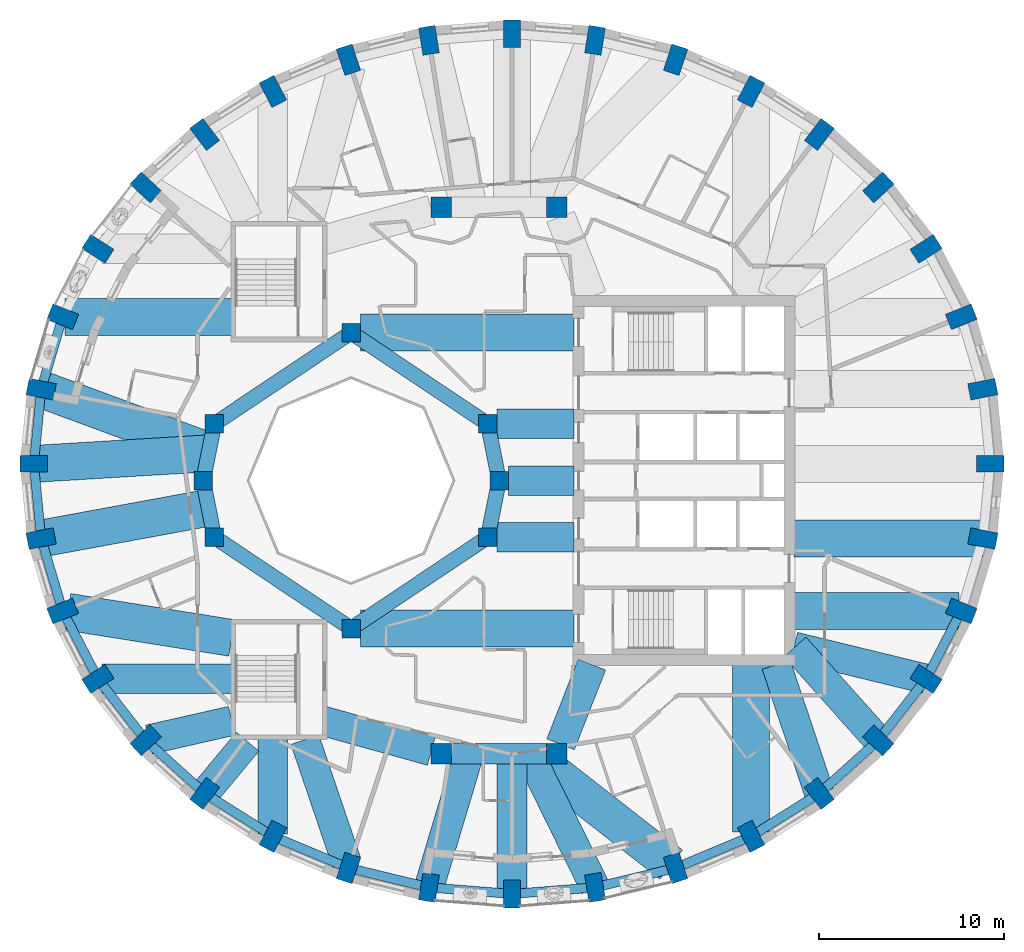
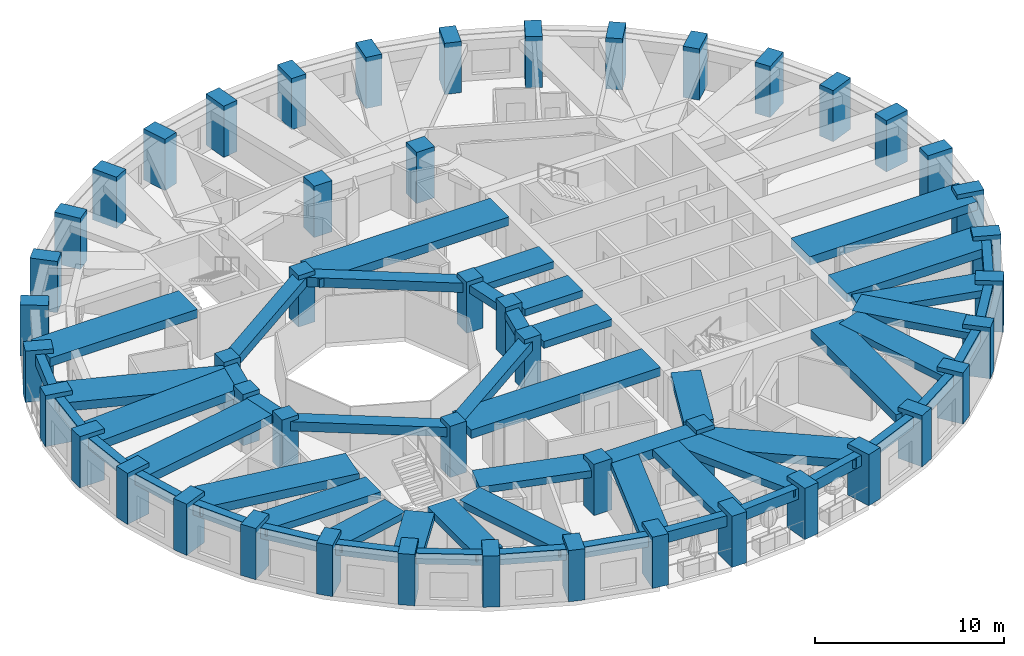
# One storey, part 1 of 12: 54 beams, 48 columns.
"""IFC4 building model written with IfcOpenShell, lengths in metres."""

import ifcopenshell
import ifcopenshell.guid

model = None  # the IFC model being written
_history = None  # IfcOwnerHistory: only IFC2X3 demands one
_inside = {}  # id of a spatial element -> (the spatial element, [elements in it])
_under = {}  # id of a project, library or spatial element -> (it, [spatial elements below it])
_declared = {}  # id of a project -> (the project, [libraries it declares])
_typed = {}  # id of a type object -> (the type object, [elements of that type])
_made_of = {}  # id of a material, layer set ... -> (it, [elements and type objects made of it])


def new_model(schema):
    """Start an empty IFC model of exactly this schema.

    Asked for "IFC4X3", IfcOpenShell would pick the latest addendum, in which some entities
    have other attributes; the version numbers below select the first issue.
    IFC2X3 requires an IfcOwnerHistory on every rooted entity: one is made here for all.
    """
    global model, _history
    if schema == "IFC4X3":
        model = ifcopenshell.file(schema_version=(4, 3, 0, 0))
    else:
        model = ifcopenshell.file(schema=schema)
    _inside.clear()
    _under.clear()
    _declared.clear()
    _typed.clear()
    _made_of.clear()
    _history = None
    if model.schema == "IFC2X3":
        org = make("IfcOrganization", Name="unknown")
        user = make(
            "IfcPersonAndOrganization",
            ThePerson=make("IfcPerson", FamilyName="unknown"),
            TheOrganization=org,
        )
        app = make(
            "IfcApplication",
            ApplicationDeveloper=org,
            Version="unknown",
            ApplicationFullName="unknown",
            ApplicationIdentifier="unknown",
        )
        _history = make(
            "IfcOwnerHistory",
            OwningUser=user,
            OwningApplication=app,
            ChangeAction="ADDED",
            CreationDate=0,
        )
    return model


def make(cls, **values):
    """One entity of the class cls with the attributes given. An attribute that is None is left unset."""
    return model.create_entity(
        cls, **{name: value for name, value in values.items() if value is not None}
    )


def rooted(cls, **values):
    """An entity with a GlobalId (a new one), such as an element, a storey or a relation."""
    return make(cls, GlobalId=ifcopenshell.guid.new(), OwnerHistory=_history, **values)


def si_unit(unit_type, name, prefix=None):
    """IfcSIUnit, for example si_unit("LENGTHUNIT", "METRE", prefix="MILLI")."""
    return make("IfcSIUnit", UnitType=unit_type, Prefix=prefix, Name=name)


def assignment(units):
    """IfcUnitAssignment: the units of a project."""
    return None if units is None else make("IfcUnitAssignment", Units=units)


def point(xyz):
    """IfcCartesianPoint."""
    return None if xyz is None else make("IfcCartesianPoint", Coordinates=xyz)


def direction(xyz):
    """IfcDirection."""
    return None if xyz is None else make("IfcDirection", DirectionRatios=xyz)


def frame(location, z_axis=None, x_axis=None):
    """IfcAxis2Placement3D, a coordinate frame: its origin and axes. An axis left out is left unset."""
    return make(
        "IfcAxis2Placement3D",
        Location=point(location),
        Axis=direction(z_axis),
        RefDirection=direction(x_axis),
    )


def frame_2d(location, x_axis=None):
    """IfcAxis2Placement2D, a coordinate frame in the plane: its origin and x axis."""
    return make(
        "IfcAxis2Placement2D", Location=point(location), RefDirection=direction(x_axis)
    )


def origin():
    """The frame at (0, 0, 0) with its axes left unset."""
    return frame((0.0, 0.0, 0.0))


def origin_2d():
    """The frame at (0, 0) in the plane with its x axis left unset."""
    return frame_2d((0.0, 0.0))


def place(relative_to, where):
    """IfcLocalPlacement: puts the frame where relative to a parent placement (None: the world)."""
    return make(
        "IfcLocalPlacement", PlacementRelTo=relative_to, RelativePlacement=where
    )


def context(
    kind, dimensions, precision=None, world=None, true_north=None, identifier=None
):
    """IfcGeometricRepresentationContext, for example the 3D "Model" context."""
    return make(
        "IfcGeometricRepresentationContext",
        ContextIdentifier=identifier,
        ContextType=kind,
        CoordinateSpaceDimension=dimensions,
        Precision=precision,
        WorldCoordinateSystem=world,
        TrueNorth=true_north,
    )


def subcontext(parent, identifier, kind, view, scale=None):
    """IfcGeometricRepresentationSubContext, for example "Body" below "Model"."""
    return make(
        "IfcGeometricRepresentationSubContext",
        ContextIdentifier=identifier,
        ContextType=kind,
        ParentContext=parent,
        TargetScale=scale,
        TargetView=view,
    )


def project(units=None, contexts=None):
    """IfcProject with its units and contexts."""
    return rooted(
        "IfcProject",
        Name="project",
        RepresentationContexts=contexts,
        UnitsInContext=assignment(units),
    )


def spatial(cls, under=None, at=None, **own):
    """A site, building, storey or space (cls), placed at a placement, below another one or the project."""
    s = rooted(cls, ObjectPlacement=at, **own)
    if under is not None:
        _under.setdefault(under.id(), (under, []))[1].append(s)
    return s


def profile(cls, at=None, kind="AREA", **sizes):
    """A parametric profile (cls). Its sizes go by their IFC names, for example OverallWidth=200.0."""
    return make(cls, ProfileType=kind, Position=at, **sizes)


def rectangle(**sizes):
    """IfcRectangleProfileDef."""
    return profile("IfcRectangleProfileDef", **sizes)


def extrude(swept, where, along, depth):
    """IfcExtrudedAreaSolid: the profile swept, set in the frame where, extruded along a direction by depth."""
    return make(
        "IfcExtrudedAreaSolid",
        SweptArea=swept,
        Position=where,
        ExtrudedDirection=direction(along),
        Depth=depth,
    )


def shape(context_of_items, identifier, shape_type, items):
    """IfcShapeRepresentation: the items that make up one representation, for example the "Body"."""
    return make(
        "IfcShapeRepresentation",
        ContextOfItems=context_of_items,
        RepresentationIdentifier=identifier,
        RepresentationType=shape_type,
        Items=items,
    )


def material(Name=None, Category=None):
    """IfcMaterial."""
    return make("IfcMaterial", Name=Name, Category=Category)


def material_profile(
    of_material, cross_section, Name=None, Category=None, Priority=None
):
    """IfcMaterialProfile: a cross section and its material."""
    return make(
        "IfcMaterialProfile",
        Name=Name,
        Material=of_material,
        Profile=cross_section,
        Priority=Priority,
        Category=Category,
    )


def profile_set(profiles, Name=None, composite=None):
    """IfcMaterialProfileSet."""
    return make(
        "IfcMaterialProfileSet",
        Name=Name,
        MaterialProfiles=profiles,
        CompositeProfile=composite,
    )


def made_of(thing, what):
    """Note that an element or type object is made of a material, layer set ...; save() writes the relation."""
    if what is not None:
        _made_of.setdefault(what.id(), (what, []))[1].append(thing)
    return thing


def type_object(cls, material=None, **own):
    """A type object (cls), such as IfcWallType, which elements share."""
    return made_of(rooted(cls, **own), material)


def element(
    cls,
    number,
    at=None,
    inside=None,
    cuts=None,
    type_object=None,
    material=None,
    context=None,
    identifier="Body",
    shape_type=None,
    held_by="IfcProductDefinitionShape",
    body=None,
    shapes=None,
    **own,
):
    """One element of the class cls, such as IfcWall. Its Tag is "e" and its number.

    at: its placement. inside: the storey or other place that contains it. cuts: it is an
    opening in that element (IfcRelVoidsElement). A single representation is given by context,
    identifier, shape_type and body (its items); several are given by shapes. held_by: the class
    of the entity that holds the representations. save() writes the other relations.
    """
    e = rooted(cls, Tag="e%d" % number, ObjectPlacement=at, **own)
    if body is not None:
        shapes = [shape(context, identifier, shape_type, body)]
    if shapes is not None:
        e.Representation = make(held_by, Representations=shapes)
    if inside is not None:
        _inside.setdefault(inside.id(), (inside, []))[1].append(e)
    if cuts is not None:
        rooted(
            "IfcRelVoidsElement", RelatingBuildingElement=cuts, RelatedOpeningElement=e
        )
    if type_object is not None:
        _typed.setdefault(type_object.id(), (type_object, []))[1].append(e)
    return made_of(e, material)


def aggregate(whole, parts):
    """IfcRelAggregates: a whole, such as a stair, and the parts it consists of."""
    return rooted("IfcRelAggregates", RelatingObject=whole, RelatedObjects=parts)


def save(model, path):
    """Write the relations noted so far, then the file.

    IfcRelAggregates (storeys below a building ...), IfcRelContainedInSpatialStructure (elements
    in a storey), IfcRelDefinesByType, IfcRelAssociatesMaterial and IfcRelDeclares: one each for
    every whole, place, type object, material and project.
    """
    for whole, parts in _under.values():
        aggregate(whole, parts)
    for where, things in _inside.values():
        rooted(
            "IfcRelContainedInSpatialStructure",
            RelatedElements=things,
            RelatingStructure=where,
        )
    for kind, things in _typed.values():
        rooted("IfcRelDefinesByType", RelatedObjects=things, RelatingType=kind)
    for what, things in _made_of.values():
        rooted("IfcRelAssociatesMaterial", RelatedObjects=things, RelatingMaterial=what)
    for by, libraries in _declared.values():
        rooted("IfcRelDeclares", RelatingContext=by, RelatedDefinitions=libraries)
    model.write(path)


model = new_model("IFC4")

# Units and contexts
model_context = context("Model", 3, precision=1e-05, world=origin(), true_north=direction((0.0, 1.0)))
body_context = subcontext(model_context, "Body", "Model", "MODEL_VIEW")
ifc_project = project(units=[si_unit("LENGTHUNIT", "METRE"), si_unit("AREAUNIT", "SQUARE_METRE"), si_unit("VOLUMEUNIT", "CUBIC_METRE"), si_unit("PLANEANGLEUNIT", "RADIAN"), si_unit("MASSUNIT", "GRAM", prefix="KILO")], contexts=[model_context])

# Site, building, storey
site_placement = place(None, origin())
site = spatial("IfcSite", under=ifc_project, at=site_placement, CompositionType="ELEMENT")
building_placement = place(site_placement, origin())
building = spatial("IfcBuilding", under=site, at=building_placement, Name="Taillehof Tower", CompositionType="ELEMENT")
storey_placement = place(building_placement, frame((0.0, 0.0, 199.10009765625)))
storey = spatial("IfcBuildingStorey", under=building, at=storey_placement, Name="L56", CompositionType="ELEMENT", Elevation=199.10009765625)

# Columns
ifc_material_1 = material(Name="Concrete C50/60", Category="concrete")
ifc_material_profile_1 = material_profile(ifc_material_1, rectangle(XDim=1.0, YDim=1.0, at=origin_2d()), Name="RC 1000x1000")
ifc_profile_set_1 = profile_set([ifc_material_profile_1], Name="Concrete C50/60")
column_type_1 = type_object("IfcColumnType", Name="Atrium ring column C50/60 1000x1000", PredefinedType="COLUMN", material=ifc_profile_set_1)
for number, where, z_axis, x_axis, name in (
    (1, (0.0, 0.0, 0.0), (0.0, 0.0, 1.0), (1.0, 0.0, 0.0), "Column AC01"),
    (2, (-0.60888671875, 3.0615234375, 0.0), (0.0, 0.0, 1.0), (1.0, 0.0, 0.0), "Column AC02"),
    (3, (-8.0, 8.0, 0.0), (0.0, 0.0, 1.0), (1.0, 0.0, 0.0), "Column AC05"),
    (4, (-15.39111328125, 3.0615234375, 0.0), (0.0, 0.0, 1.0), (1.0, 0.0, 0.0), "Column AC08"),
    (5, (-16.0, 0.0, 0.0), (0.0, 0.0, 1.0), (1.0, 0.0, 0.0), "Column AC09"),
    (6, (-15.39111328125, -3.0615234375, 0.0), (0.0, 0.0, 1.0), (1.0, 0.0, 0.0), "Column AC10"),
    (7, (-8.0, -8.0, 0.0), (0.0, 0.0, 1.0), (1.0, 0.0, 0.0), "Column AC13"),
    (8, (-0.60888671875, -3.0615234375, 0.0), (0.0, 0.0, 1.0), (1.0, 0.0, 0.0), "Column AC16"),
):
    element("IfcColumn", number, at=place(storey_placement, frame(where, z_axis=z_axis, x_axis=x_axis)), inside=storey, type_object=column_type_1, Name=name, PredefinedType="COLUMN", context=body_context, shape_type="SweptSolid", body=[
        extrude(rectangle(XDim=1.0, YDim=1.0, at=origin_2d()), origin(), (0.0, 0.0, 1.0), 3.2998046875),
    ])
ifc_material_2 = material(Name="Concrete C50/60", Category="concrete")
ifc_material_profile_2 = material_profile(ifc_material_2, rectangle(XDim=1.10009765625, YDim=1.10009765625, at=origin_2d()), Name="RC 1100x1100")
ifc_profile_set_2 = profile_set([ifc_material_profile_2], Name="Concrete C50/60")
column_type_2 = type_object("IfcColumnType", Name="Mid-ring column C50/60 1100x1100", PredefinedType="COLUMN", material=ifc_profile_set_2)
for number, where, z_axis, x_axis, name in (
    (9, (3.125732421875, 14.772216796875, 0.0), (0.0, 0.0, 1.0), (1.0, 0.0, 0.0), "Column MC05"),
    (10, (-3.125732421875, 14.772216796875, 0.0), (0.0, 0.0, 1.0), (1.0, 0.0, 0.0), "Column MC06"),
    (11, (-3.125732421875, -14.772216796875, 0.0), (0.0, 0.0, 1.0), (1.0, 0.0, 0.0), "Column MC14"),
    (12, (3.125732421875, -14.772216796875, 0.0), (0.0, 0.0, 1.0), (1.0, 0.0, 0.0), "Column MC15"),
):
    element("IfcColumn", number, at=place(storey_placement, frame(where, z_axis=z_axis, x_axis=x_axis)), inside=storey, type_object=column_type_2, Name=name, PredefinedType="COLUMN", context=body_context, shape_type="SweptSolid", body=[
        extrude(rectangle(XDim=1.10009765625, YDim=1.10009765625, at=origin_2d()), origin(), (0.0, 0.0, 1.0), 3.2998046875),
    ])
ifc_material_3 = material(Name="Concrete C60/75", Category="concrete")
ifc_material_profile_3 = material_profile(ifc_material_3, rectangle(XDim=1.5, YDim=0.89990234375, at=origin_2d()), Name="RC 1500x900")
ifc_profile_set_3 = profile_set([ifc_material_profile_3], Name="Concrete C60/75")
column_type_3 = type_object("IfcColumnType", Name="Ring column C60/75 1500x900", PredefinedType="COLUMN", material=ifc_profile_set_3)
for number, where, z_axis, x_axis, name in (
    (13, (26.550048828125, 0.89990234375, 0.0), (0.0, 0.0, 1.0), (1.0, 0.0, 0.0), "Ring column RC01"),
    (14, (26.1572265625, 4.937255859375, 0.0), (0.0, 0.0, 1.0), (0.981433894538, 0.191800705555, 0.0), "Ring column RC02"),
    (15, (24.990966796875, 8.85205078125, 0.0), (0.0, 0.0, 1.0), (0.927385290523, 0.374107635477, 0.0), "Ring column RC03"),
    (16, (23.086669921875, 12.52490234375, 0.0), (0.0, 0.0, 1.0), (0.84231094199, 0.538991908107, 0.0), "Ring column RC04"),
    (17, (20.502197265625, 15.8447265625, 0.0), (0.0, 0.0, 1.0), (0.732270888356, 0.681013469813, 0.0), "Ring column RC05"),
    (18, (17.316162109375, 18.71044921875, 0.0), (0.0, 0.0, 1.0), (0.60360770772, 0.797281465469, 0.0), "Ring column RC06"),
    (19, (13.625, 21.03515625, 0.0), (0.0, 0.0, 1.0), (0.461993199576, 0.886883466722, 0.0), "Ring column RC07"),
    (20, (9.541259765625, 22.747802734375, 0.0), (0.0, 0.0, 1.0), (0.312001306843, 0.950081672557, 0.0), "Ring column RC08"),
    (21, (5.188720703125, 23.796875, 0.0), (0.0, 0.0, 1.0), (0.157116034607, 0.987580149491, 0.0), "Ring column RC09"),
    (22, (0.699951171875, 24.14990234375, 0.0), (0.0, 0.0, 1.0), (0.0, 1.0, 0.0), "Ring column RC10"),
    (23, (-3.788818359375, 23.796875, 0.0), (0.0, 0.0, 1.0), (-0.157116034607, 0.987580149491, 0.0), "Ring column RC11"),
    (24, (-8.14111328125, 22.747802734375, 0.0), (0.0, 0.0, 1.0), (-0.312001306843, 0.950081672557, 0.0), "Ring column RC12"),
    (25, (-12.22509765625, 21.03515625, 0.0), (0.0, 0.0, 1.0), (-0.461993199576, 0.886883466722, 0.0), "Ring column RC13"),
    (26, (-15.916015625, 18.71044921875, 0.0), (0.0, 0.0, 1.0), (-0.60360770772, 0.797281465469, 0.0), "Ring column RC14"),
    (27, (-19.102294921875, 15.8447265625, 0.0), (0.0, 0.0, 1.0), (-0.732270888356, 0.681013469813, 0.0), "Ring column RC15"),
    (28, (-21.686767578125, 12.52490234375, 0.0), (0.0, 0.0, 1.0), (-0.84231094199, 0.538991908107, 0.0), "Ring column RC16"),
    (29, (-23.591064453125, 8.85205078125, 0.0), (0.0, 0.0, 1.0), (-0.927385290523, 0.374107635477, 0.0), "Ring column RC17"),
    (30, (-24.75732421875, 4.937255859375, 0.0), (0.0, 0.0, 1.0), (-0.981433894538, 0.191800705555, 0.0), "Ring column RC18"),
    (31, (-25.14990234375, 0.89990234375, 0.0), (0.0, 0.0, 1.0), (-1.0, 0.0, 0.0), "Ring column RC19"),
    (32, (-24.75732421875, -3.13720703125, 0.0), (0.0, 0.0, 1.0), (-0.981433894538, -0.191800705555, 0.0), "Ring column RC20"),
    (33, (-23.591064453125, -7.052001953125, 0.0), (0.0, 0.0, 1.0), (-0.927385290523, -0.374107635477, 0.0), "Ring column RC21"),
    (34, (-21.686767578125, -10.72509765625, 0.0), (0.0, 0.0, 1.0), (-0.84231094199, -0.538991908107, 0.0), "Ring column RC22"),
    (35, (-19.102294921875, -14.044921875, 0.0), (0.0, 0.0, 1.0), (-0.732270888356, -0.681013469813, 0.0), "Ring column RC23"),
    (36, (-15.916015625, -16.91064453125, 0.0), (0.0, 0.0, 1.0), (-0.60360770772, -0.797281465469, 0.0), "Ring column RC24"),
    (37, (-12.22509765625, -19.235107421875, 0.0), (0.0, 0.0, 1.0), (-0.461993199576, -0.886883466722, 0.0), "Ring column RC25"),
    (38, (-8.14111328125, -20.94775390625, 0.0), (0.0, 0.0, 1.0), (-0.312001306843, -0.950081672557, 0.0), "Ring column RC26"),
    (39, (-3.788818359375, -21.996826171875, 0.0), (0.0, 0.0, 1.0), (-0.157116034607, -0.987580149491, 0.0), "Ring column RC27"),
    (40, (0.699951171875, -22.35009765625, 0.0), (0.0, 0.0, 1.0), (0.0, -1.0, 0.0), "Ring column RC28"),
    (41, (5.188720703125, -21.996826171875, 0.0), (0.0, 0.0, 1.0), (0.157116034607, -0.987580149491, 0.0), "Ring column RC29"),
    (42, (9.541259765625, -20.94775390625, 0.0), (0.0, 0.0, 1.0), (0.312001306843, -0.950081672557, 0.0), "Ring column RC30"),
    (43, (13.625, -19.235107421875, 0.0), (0.0, 0.0, 1.0), (0.461993199576, -0.886883466722, 0.0), "Ring column RC31"),
    (44, (17.316162109375, -16.91064453125, 0.0), (0.0, 0.0, 1.0), (0.60360770772, -0.797281465469, 0.0), "Ring column RC32"),
    (45, (20.502197265625, -14.044921875, 0.0), (0.0, 0.0, 1.0), (0.732270888356, -0.681013469813, 0.0), "Ring column RC33"),
    (46, (23.086669921875, -10.72509765625, 0.0), (0.0, 0.0, 1.0), (0.84231094199, -0.538991908107, 0.0), "Ring column RC34"),
    (47, (24.990966796875, -7.052001953125, 0.0), (0.0, 0.0, 1.0), (0.927385290523, -0.374107635477, 0.0), "Ring column RC35"),
    (48, (26.1572265625, -3.13720703125, 0.0), (0.0, 0.0, 1.0), (0.981433894538, -0.191800705555, 0.0), "Ring column RC36"),
):
    element("IfcColumn", number, at=place(storey_placement, frame(where, z_axis=z_axis, x_axis=x_axis)), inside=storey, type_object=column_type_3, Name=name, PredefinedType="COLUMN", context=body_context, shape_type="SweptSolid", body=[
        extrude(rectangle(XDim=1.5, YDim=0.89990234375, at=origin_2d()), origin(), (0.0, 0.0, 1.0), 3.2998046875),
    ])

# Beams
ifc_material_4 = material(Name="Concrete C50/60", Category="concrete")
ifc_material_profile_4 = material_profile(ifc_material_4, rectangle(XDim=0.800048828125, YDim=0.5, at=origin_2d()), Name="RC 800x500")
ifc_profile_set_4 = profile_set([ifc_material_profile_4], Name="Concrete C50/60")
beam_type_1 = type_object("IfcBeamType", Name="Atrium ring beam C50/60 800x500", PredefinedType="BEAM", material=ifc_profile_set_4)
for number, where, z_axis, x_axis, name in (
    (49, (0.0, 0.0, 2.77001953125), (-0.195063155143, 0.980790683839, 0.0), (-0.980790683839, -0.195063155143, 0.0), "Atrium ring beam AB01"),
    (50, (-15.39111328125, 3.0615234375, 2.77001953125), (-0.195063155143, -0.980790683839, 0.0), (0.980790683839, -0.195063155143, 0.0), "Atrium ring beam AB04"),
    (51, (-16.0, 0.0, 2.77001953125), (0.195063155143, -0.980790683839, 0.0), (0.980790683839, 0.195063155143, 0.0), "Atrium ring beam AB05"),
    (52, (-0.60888671875, -3.0615234375, 2.77001953125), (0.195063155143, 0.980790683839, 0.0), (-0.980790683839, 0.195063155143, 0.0), "Atrium ring beam AB08"),
):
    element("IfcBeam", number, at=place(storey_placement, frame(where, z_axis=z_axis, x_axis=x_axis)), inside=storey, type_object=beam_type_1, Name=name, PredefinedType="BEAM", context=body_context, shape_type="SweptSolid", body=[
        extrude(rectangle(XDim=0.800048828125, YDim=0.5, at=origin_2d()), origin(), (0.0, 0.0, 1.0), 3.12158203125),
    ])
ifc_material_5 = material(Name="Concrete C50/60", Category="concrete")
ifc_material_profile_5 = material_profile(ifc_material_5, rectangle(XDim=0.800048828125, YDim=0.60009765625, at=origin_2d()), Name="RC 800x600")
ifc_profile_set_5 = profile_set([ifc_material_profile_5], Name="Concrete C50/60")
beam_type_2 = type_object("IfcBeamType", Name="Atrium ring beam C50/60 800x600", PredefinedType="BEAM", material=ifc_profile_set_5)
for number, where, z_axis, x_axis, name in (
    (53, (-0.60888671875, 3.0615234375, 2.719970703125), (-0.831475195687, 0.555561876804, 0.0), (-0.555561876804, -0.831475195687, 0.0), "Atrium ring beam AB02"),
    (54, (-8.0, 8.0, 2.719970703125), (-0.831475195687, -0.555561876804, 0.0), (0.555561876804, -0.831475195687, 0.0), "Atrium ring beam AB03"),
    (55, (-15.39111328125, -3.0615234375, 2.719970703125), (0.831475195687, -0.555561876804, 0.0), (0.555561876804, 0.831475195687, 0.0), "Atrium ring beam AB06"),
    (56, (-8.0, -8.0, 2.719970703125), (0.831475195687, 0.555561876804, 0.0), (-0.555561876804, 0.831475195687, 0.0), "Atrium ring beam AB07"),
):
    element("IfcBeam", number, at=place(storey_placement, frame(where, z_axis=z_axis, x_axis=x_axis)), inside=storey, type_object=beam_type_2, Name=name, PredefinedType="BEAM", context=body_context, shape_type="SweptSolid", body=[
        extrude(rectangle(XDim=0.800048828125, YDim=0.60009765625, at=origin_2d()), origin(), (0.0, 0.0, 1.0), 8.88916015625),
    ])
ifc_material_6 = material(Name="Concrete C50/60", Category="concrete")
ifc_material_profile_6 = material_profile(ifc_material_6, rectangle(XDim=1.10009765625, YDim=0.60009765625, at=origin_2d()), Name="RC 1100x600")
ifc_profile_set_6 = profile_set([ifc_material_profile_6], Name="Concrete C50/60")
beam_type_3 = type_object("IfcBeamType", Name="Mid-ring beam C50/60 1100x600", PredefinedType="BEAM", material=ifc_profile_set_6)
beam_1_placement = place(storey_placement, frame((-3.125732421875, -14.772216796875, 2.719970703125), z_axis=(1.0, 0.0, 0.0), x_axis=(0.0, 1.0, 0.0)))
element("IfcBeam", 57, at=beam_1_placement, inside=storey, type_object=beam_type_3, Name="Mid-ring beam MB02", PredefinedType="BEAM", context=body_context, shape_type="SweptSolid", body=[
    extrude(rectangle(XDim=1.10009765625, YDim=0.60009765625, at=origin_2d()), origin(), (0.0, 0.0, 1.0), 6.25146484375),
])
ifc_material_7 = material(Name="Concrete C50/60", Category="concrete")
ifc_material_profile_7 = material_profile(ifc_material_7, rectangle(XDim=1.60009765625, YDim=0.449951171875, at=origin_2d()), Name="RC 1600x450")
ifc_profile_set_7 = profile_set([ifc_material_profile_7], Name="Concrete C50/60")
beam_type_4 = type_object("IfcBeamType", Name="Radial band beam C50/60 1600x450", PredefinedType="BEAM", material=ifc_profile_set_7)
beam_2_placement = place(storey_placement, frame((-21.47021484375, -10.72509765625, 2.794921875), z_axis=(1.0, 0.0, 0.0), x_axis=(0.0, 1.0, 0.0)))
element("IfcBeam", 58, at=beam_2_placement, inside=storey, type_object=beam_type_4, Name="Radial band beam RB22", PredefinedType="BEAM", context=body_context, shape_type="SweptSolid", body=[
    extrude(rectangle(XDim=1.60009765625, YDim=0.449951171875, at=origin_2d()), origin(), (0.0, 0.0, 1.0), 7.020263671875),
])
beam_3_placement = place(storey_placement, frame((-18.929931640625, -14.005615234375, 2.794921875), z_axis=(0.975193914537, 0.221352273651, 0.0), x_axis=(-0.221352273651, 0.975193914537, 0.0)))
element("IfcBeam", 59, at=beam_3_placement, inside=storey, type_object=beam_type_4, Name="Radial band beam RB23", PredefinedType="BEAM", context=body_context, shape_type="SweptSolid", body=[
    extrude(rectangle(XDim=1.60009765625, YDim=0.449951171875, at=origin_2d()), origin(), (0.0, 0.0, 1.0), 4.5927734375),
])
beam_4_placement = place(storey_placement, frame((-15.916015625, -16.91064453125, 2.794921875), z_axis=(0.638722345868, 0.769437304066, 0.0), x_axis=(-0.769437304066, 0.638722345868, 0.0)))
element("IfcBeam", 60, at=beam_4_placement, inside=storey, type_object=beam_type_4, Name="Radial band beam RB24", PredefinedType="BEAM", context=body_context, shape_type="SweptSolid", body=[
    extrude(rectangle(XDim=1.60009765625, YDim=0.449951171875, at=origin_2d()), origin(), (0.0, 0.0, 1.0), 3.6328125),
])
beam_5_placement = place(storey_placement, frame((-12.22509765625, -19.101318359375, 2.794921875), z_axis=(0.0, 1.0, 0.0), x_axis=(-1.0, 0.0, 0.0)))
element("IfcBeam", 61, at=beam_5_placement, inside=storey, type_object=beam_type_4, Name="Radial band beam RB25", PredefinedType="BEAM", context=body_context, shape_type="SweptSolid", body=[
    extrude(rectangle(XDim=1.60009765625, YDim=0.449951171875, at=origin_2d()), origin(), (0.0, 0.0, 1.0), 5.1513671875),
])
beam_6_placement = place(storey_placement, frame((-8.233642578125, -20.675537109375, 2.794921875), z_axis=(-0.321475101084, 0.94691803203, 0.0), x_axis=(-0.94691803203, -0.321475101084, 0.0)))
element("IfcBeam", 62, at=beam_6_placement, inside=storey, type_object=beam_type_4, Name="Radial band beam RB26", PredefinedType="BEAM", context=body_context, shape_type="SweptSolid", body=[
    extrude(rectangle(XDim=1.60009765625, YDim=0.449951171875, at=origin_2d()), origin(), (0.0, 0.0, 1.0), 7.042236328125),
])
beam_7_placement = place(storey_placement, frame((-3.788818359375, -21.996826171875, 2.794921875), z_axis=(0.286825122153, 0.957982958774, 0.0), x_axis=(-0.957982958774, 0.286825122153, 0.0)))
element("IfcBeam", 63, at=beam_7_placement, inside=storey, type_object=beam_type_4, Name="Radial band beam RB27", PredefinedType="BEAM", context=body_context, shape_type="SweptSolid", body=[
    extrude(rectangle(XDim=1.60009765625, YDim=0.449951171875, at=origin_2d()), origin(), (0.0, 0.0, 1.0), 7.54150390625),
])
beam_8_placement = place(storey_placement, frame((0.699951171875, -22.35009765625, 2.794921875), z_axis=(0.0, 1.0, 0.0), x_axis=(-1.0, 0.0, 0.0)))
element("IfcBeam", 64, at=beam_8_placement, inside=storey, type_object=beam_type_4, Name="Radial band beam RB28", PredefinedType="BEAM", context=body_context, shape_type="SweptSolid", body=[
    extrude(rectangle(XDim=1.60009765625, YDim=0.449951171875, at=origin_2d()), origin(), (0.0, 0.0, 1.0), 7.577880859375),
])
beam_9_placement = place(storey_placement, frame((5.188720703125, -21.996826171875, 2.794921875), z_axis=(-0.442309181818, 0.896862635903, 0.0), x_axis=(-0.896862635903, -0.442309181818, 0.0)))
element("IfcBeam", 65, at=beam_9_placement, inside=storey, type_object=beam_type_4, Name="Radial band beam RB29", PredefinedType="BEAM", context=body_context, shape_type="SweptSolid", body=[
    extrude(rectangle(XDim=1.60009765625, YDim=0.449951171875, at=origin_2d()), origin(), (0.0, 0.0, 1.0), 8.055419921875),
])
beam_10_placement = place(storey_placement, frame((17.314697265625, -16.906494140625, 2.794921875), z_axis=(-0.317775276173, 0.948166058164, 0.0), x_axis=(-0.948166058164, -0.317775276173, 0.0)))
element("IfcBeam", 66, at=beam_10_placement, inside=storey, type_object=beam_type_4, Name="Radial band beam RB32", PredefinedType="BEAM", context=body_context, shape_type="SweptSolid", body=[
    extrude(rectangle(XDim=1.60009765625, YDim=0.449951171875, at=origin_2d()), origin(), (0.0, 0.0, 1.0), 7.333984375),
])
beam_11_placement = place(storey_placement, frame((20.502197265625, -14.044921875, 2.794921875), z_axis=(-0.665845101725, 0.746090008316, 0.0), x_axis=(-0.746090008316, -0.665845101725, 0.0)))
element("IfcBeam", 67, at=beam_11_placement, inside=storey, type_object=beam_type_4, Name="Radial band beam RB33", PredefinedType="BEAM", context=body_context, shape_type="SweptSolid", body=[
    extrude(rectangle(XDim=1.60009765625, YDim=0.449951171875, at=origin_2d()), origin(), (0.0, 0.0, 1.0), 6.766357421875),
])
beam_12_placement = place(storey_placement, frame((23.07568359375, -10.722412109375, 2.794921875), z_axis=(-0.971629977108, 0.236506210459, 0.0), x_axis=(-0.236506210459, -0.971629977108, 0.0)))
element("IfcBeam", 68, at=beam_12_placement, inside=storey, type_object=beam_type_4, Name="Radial band beam RB34", PredefinedType="BEAM", context=body_context, shape_type="SweptSolid", body=[
    extrude(rectangle(XDim=1.60009765625, YDim=0.449951171875, at=origin_2d()), origin(), (0.0, 0.0, 1.0), 7.332275390625),
])
beam_13_placement = place(storey_placement, frame((0.5, 0.0, 2.794921875), z_axis=(1.0, 0.0, 0.0), x_axis=(0.0, 1.0, 0.0)))
element("IfcBeam", 69, at=beam_13_placement, inside=storey, type_object=beam_type_4, Name="Inner band beam IB101", PredefinedType="BEAM", context=body_context, shape_type="SweptSolid", body=[
    extrude(rectangle(XDim=1.60009765625, YDim=0.449951171875, at=origin_2d()), origin(), (0.0, 0.0, 1.0), 3.550048828125),
])
for number, where, z_axis, x_axis, name in (
    (70, (-0.10888671875, 3.0615234375, 2.794921875), (1.0, 0.0, 0.0), (0.0, 1.0, 0.0), "Inner band beam IB102"),
    (71, (-0.10888671875, -3.0615234375, 2.794921875), (1.0, 0.0, 0.0), (0.0, 1.0, 0.0), "Inner band beam IB116"),
):
    element("IfcBeam", number, at=place(storey_placement, frame(where, z_axis=z_axis, x_axis=x_axis)), inside=storey, type_object=beam_type_4, Name=name, PredefinedType="BEAM", context=body_context, shape_type="SweptSolid", body=[
        extrude(rectangle(XDim=1.60009765625, YDim=0.449951171875, at=origin_2d()), origin(), (0.0, 0.0, 1.0), 4.158935546875),
    ])
beam_14_placement = place(storey_placement, frame((-3.655517578125, -14.624755859375, 2.794921875), z_axis=(-0.963459369536, 0.267854518821, 0.0), x_axis=(-0.267854518821, -0.963459369536, 0.0)))
element("IfcBeam", 72, at=beam_14_placement, inside=storey, type_object=beam_type_4, Name="Inner band beam IB214", PredefinedType="BEAM", context=body_context, shape_type="SweptSolid", body=[
    extrude(rectangle(XDim=1.60009765625, YDim=0.449951171875, at=origin_2d()), origin(), (0.0, 0.0, 1.0), 6.096923828125),
])
beam_15_placement = place(storey_placement, frame((3.32666015625, -14.26025390625, 2.794921875), z_axis=(0.365588707223, 0.930776502255, 0.0), x_axis=(-0.930776502255, 0.365588707223, 0.0)))
element("IfcBeam", 73, at=beam_15_placement, inside=storey, type_object=beam_type_4, Name="Inner band beam IB215", PredefinedType="BEAM", context=body_context, shape_type="SweptSolid", body=[
    extrude(rectangle(XDim=1.60009765625, YDim=0.449951171875, at=origin_2d()), origin(), (0.0, 0.0, 1.0), 4.627197265625),
])
ifc_material_8 = material(Name="Concrete C50/60", Category="concrete")
ifc_material_profile_8 = material_profile(ifc_material_8, rectangle(XDim=2.0, YDim=0.550048828125, at=origin_2d()), Name="RC 2000x550")
ifc_profile_set_8 = profile_set([ifc_material_profile_8], Name="Concrete C50/60")
beam_type_5 = type_object("IfcBeamType", Name="Radial band beam C50/60 2000x550", PredefinedType="BEAM", material=ifc_profile_set_8)
beam_16_placement = place(storey_placement, frame((-23.4560546875, 8.85205078125, 2.744873046875), z_axis=(1.0, 0.0, 0.0), x_axis=(0.0, 1.0, 0.0)))
element("IfcBeam", 74, at=beam_16_placement, inside=storey, type_object=beam_type_5, Name="Radial band beam RB17", PredefinedType="BEAM", context=body_context, shape_type="SweptSolid", body=[
    extrude(rectangle(XDim=2.0, YDim=0.550048828125, at=origin_2d()), origin(), (0.0, 0.0, 1.0), 9.006103515625),
])
beam_17_placement = place(storey_placement, frame((-24.75732421875, 4.937255859375, 2.744873046875), z_axis=(0.938209870924, -0.346066811615, 0.0), x_axis=(0.346066811615, 0.938209870924, 0.0)))
element("IfcBeam", 75, at=beam_17_placement, inside=storey, type_object=beam_type_5, Name="Radial band beam RB18", PredefinedType="BEAM", context=body_context, shape_type="SweptSolid", body=[
    extrude(rectangle(XDim=2.0, YDim=0.550048828125, at=origin_2d()), origin(), (0.0, 0.0, 1.0), 9.67138671875),
])
beam_18_placement = place(storey_placement, frame((-25.14990234375, 0.89990234375, 2.744873046875), z_axis=(0.998174819199, 0.060390647592, 0.0), x_axis=(-0.060390647592, 0.998174819199, 0.0)))
element("IfcBeam", 76, at=beam_18_placement, inside=storey, type_object=beam_type_5, Name="Radial band beam RB19", PredefinedType="BEAM", context=body_context, shape_type="SweptSolid", body=[
    extrude(rectangle(XDim=2.0, YDim=0.550048828125, at=origin_2d()), origin(), (0.0, 0.0, 1.0), 9.4599609375),
])
beam_19_placement = place(storey_placement, frame((-24.75732421875, -3.13720703125, 2.744873046875), z_axis=(0.983474452744, 0.181046957445, 0.0), x_axis=(-0.181046957445, 0.983474452744, 0.0)))
element("IfcBeam", 77, at=beam_19_placement, inside=storey, type_object=beam_type_5, Name="Radial band beam RB20", PredefinedType="BEAM", context=body_context, shape_type="SweptSolid", body=[
    extrude(rectangle(XDim=2.0, YDim=0.550048828125, at=origin_2d()), origin(), (0.0, 0.0, 1.0), 9.2021484375),
])
beam_20_placement = place(storey_placement, frame((-23.3076171875, -7.09716796875, 2.744873046875), z_axis=(0.987552836313, -0.157287620272, 0.0), x_axis=(0.157287620272, 0.987552836313, 0.0)))
element("IfcBeam", 78, at=beam_20_placement, inside=storey, type_object=beam_type_5, Name="Radial band beam RB21", PredefinedType="BEAM", context=body_context, shape_type="SweptSolid", body=[
    extrude(rectangle(XDim=2.0, YDim=0.550048828125, at=origin_2d()), origin(), (0.0, 0.0, 1.0), 8.968505859375),
])
beam_21_placement = place(storey_placement, frame((9.3076171875, -20.765625, 2.744873046875), z_axis=(-0.788425359087, 0.615130435882, 0.0), x_axis=(-0.615130435882, -0.788425359087, 0.0)))
element("IfcBeam", 79, at=beam_21_placement, inside=storey, type_object=beam_type_5, Name="Radial band beam RB30", PredefinedType="BEAM", context=body_context, shape_type="SweptSolid", body=[
    extrude(rectangle(XDim=2.0, YDim=0.550048828125, at=origin_2d()), origin(), (0.0, 0.0, 1.0), 9.35595703125),
])
beam_22_placement = place(storey_placement, frame((13.625, -18.99755859375, 2.744873046875), z_axis=(0.0, 1.0, 0.0), x_axis=(-1.0, 0.0, 0.0)))
element("IfcBeam", 80, at=beam_22_placement, inside=storey, type_object=beam_type_5, Name="Radial band beam RB31", PredefinedType="BEAM", context=body_context, shape_type="SweptSolid", body=[
    extrude(rectangle(XDim=2.0, YDim=0.550048828125, at=origin_2d()), origin(), (0.0, 0.0, 1.0), 9.047607421875),
])
beam_23_placement = place(storey_placement, frame((24.856201171875, -7.052001953125, 2.744873046875), z_axis=(-1.0, 0.0, 0.0), x_axis=(0.0, -1.0, 0.0)))
element("IfcBeam", 81, at=beam_23_placement, inside=storey, type_object=beam_type_5, Name="Radial band beam RB35", PredefinedType="BEAM", context=body_context, shape_type="SweptSolid", body=[
    extrude(rectangle(XDim=2.0, YDim=0.550048828125, at=origin_2d()), origin(), (0.0, 0.0, 1.0), 8.90625),
])
beam_24_placement = place(storey_placement, frame((26.1572265625, -3.13720703125, 2.744873046875), z_axis=(-1.0, 0.0, 0.0), x_axis=(0.0, -1.0, 0.0)))
element("IfcBeam", 82, at=beam_24_placement, inside=storey, type_object=beam_type_5, Name="Radial band beam RB36", PredefinedType="BEAM", context=body_context, shape_type="SweptSolid", body=[
    extrude(rectangle(XDim=2.0, YDim=0.550048828125, at=origin_2d()), origin(), (0.0, 0.0, 1.0), 10.207275390625),
])
for number, where, z_axis, x_axis, name in (
    (83, (-7.5, 8.0, 2.744873046875), (1.0, 0.0, 0.0), (0.0, 1.0, 0.0), "Inner band beam IB105"),
    (84, (-7.5, -8.0, 2.744873046875), (1.0, 0.0, 0.0), (0.0, 1.0, 0.0), "Inner band beam IB113"),
):
    element("IfcBeam", number, at=place(storey_placement, frame(where, z_axis=z_axis, x_axis=x_axis)), inside=storey, type_object=beam_type_5, Name=name, PredefinedType="BEAM", context=body_context, shape_type="SweptSolid", body=[
        extrude(rectangle(XDim=2.0, YDim=0.550048828125, at=origin_2d()), origin(), (0.0, 0.0, 1.0), 11.550048828125),
    ])
ifc_material_9 = material(Name="Concrete C50/60", Category="concrete")
ifc_material_profile_9 = material_profile(ifc_material_9, rectangle(XDim=0.5, YDim=0.699951171875, at=origin_2d()), Name="RC 500x700")
ifc_profile_set_9 = profile_set([ifc_material_profile_9], Name="Concrete C50/60")
beam_type_6 = type_object("IfcBeamType", Name="Spandrel beam C50/60 500x700", PredefinedType="SPANDREL", material=ifc_profile_set_9)
beam_25_placement = place(storey_placement, frame((-23.591064453125, 8.85205078125, 2.669921875), z_axis=(-0.285510458946, -0.9583755933, 0.0), x_axis=(0.9583755933, -0.285510458946, 0.0)))
element("IfcBeam", 85, at=beam_25_placement, inside=storey, type_object=beam_type_6, Name="Spandrel beam SB17", PredefinedType="SPANDREL", context=body_context, shape_type="SweptSolid", body=[
    extrude(rectangle(XDim=0.5, YDim=0.699951171875, at=origin_2d()), origin(), (0.0, 0.0, 1.0), 4.084716796875),
])
beam_26_placement = place(storey_placement, frame((-24.75732421875, 4.937255859375, 2.669921875), z_axis=(-0.096780051712, -0.995305793006, 0.0), x_axis=(0.995305793006, -0.096780051712, 0.0)))
element("IfcBeam", 86, at=beam_26_placement, inside=storey, type_object=beam_type_6, Name="Spandrel beam SB18", PredefinedType="SPANDREL", context=body_context, shape_type="SweptSolid", body=[
    extrude(rectangle(XDim=0.5, YDim=0.699951171875, at=origin_2d()), origin(), (0.0, 0.0, 1.0), 4.056396484375),
])
beam_27_placement = place(storey_placement, frame((-25.14990234375, 0.89990234375, 2.669921875), z_axis=(0.096785849576, -0.995305229225, 0.0), x_axis=(0.995305229225, 0.096785849576, 0.0)))
element("IfcBeam", 87, at=beam_27_placement, inside=storey, type_object=beam_type_6, Name="Spandrel beam SB19", PredefinedType="SPANDREL", context=body_context, shape_type="SweptSolid", body=[
    extrude(rectangle(XDim=0.5, YDim=0.699951171875, at=origin_2d()), origin(), (0.0, 0.0, 1.0), 4.05615234375),
])
beam_28_placement = place(storey_placement, frame((-24.75732421875, -3.13720703125, 2.669921875), z_axis=(0.285510458946, -0.9583755933, 0.0), x_axis=(0.9583755933, 0.285510458946, 0.0)))
element("IfcBeam", 88, at=beam_28_placement, inside=storey, type_object=beam_type_6, Name="Spandrel beam SB20", PredefinedType="SPANDREL", context=body_context, shape_type="SweptSolid", body=[
    extrude(rectangle(XDim=0.5, YDim=0.699951171875, at=origin_2d()), origin(), (0.0, 0.0, 1.0), 4.084716796875),
])
beam_29_placement = place(storey_placement, frame((-23.591064453125, -7.052001953125, 2.669921875), z_axis=(0.460265491458, -0.887781322947, 0.0), x_axis=(0.887781322947, 0.460265491458, 0.0)))
element("IfcBeam", 89, at=beam_29_placement, inside=storey, type_object=beam_type_6, Name="Spandrel beam SB21", PredefinedType="SPANDREL", context=body_context, shape_type="SweptSolid", body=[
    extrude(rectangle(XDim=0.5, YDim=0.699951171875, at=origin_2d()), origin(), (0.0, 0.0, 1.0), 4.137451171875),
])
beam_30_placement = place(storey_placement, frame((-21.686767578125, -10.72509765625, 2.669921875), z_axis=(0.614294081938, -0.789077170432, 0.0), x_axis=(0.789077170432, 0.614294081938, 0.0)))
element("IfcBeam", 90, at=beam_30_placement, inside=storey, type_object=beam_type_6, Name="Spandrel beam SB22", PredefinedType="SPANDREL", context=body_context, shape_type="SweptSolid", body=[
    extrude(rectangle(XDim=0.5, YDim=0.699951171875, at=origin_2d()), origin(), (0.0, 0.0, 1.0), 4.207275390625),
])
beam_31_placement = place(storey_placement, frame((-19.102294921875, -14.044921875, 2.669921875), z_axis=(0.743517893617, -0.668716039789, 0.0), x_axis=(0.668716039789, 0.743517893617, 0.0)))
element("IfcBeam", 91, at=beam_31_placement, inside=storey, type_object=beam_type_6, Name="Spandrel beam SB23", PredefinedType="SPANDREL", context=body_context, shape_type="SweptSolid", body=[
    extrude(rectangle(XDim=0.5, YDim=0.699951171875, at=origin_2d()), origin(), (0.0, 0.0, 1.0), 4.285400390625),
])
beam_32_placement = place(storey_placement, frame((-15.916015625, -16.91064453125, 2.669921875), z_axis=(0.846175819179, -0.532903821564, 0.0), x_axis=(0.532903821564, 0.846175819179, 0.0)))
element("IfcBeam", 92, at=beam_32_placement, inside=storey, type_object=beam_type_6, Name="Spandrel beam SB24", PredefinedType="SPANDREL", context=body_context, shape_type="SweptSolid", body=[
    extrude(rectangle(XDim=0.5, YDim=0.699951171875, at=origin_2d()), origin(), (0.0, 0.0, 1.0), 4.36181640625),
])
beam_33_placement = place(storey_placement, frame((-12.22509765625, -19.235107421875, 2.669921875), z_axis=(0.922193747603, -0.386728188632, 0.0), x_axis=(0.386728188632, 0.922193747603, 0.0)))
element("IfcBeam", 93, at=beam_33_placement, inside=storey, type_object=beam_type_6, Name="Spandrel beam SB25", PredefinedType="SPANDREL", context=body_context, shape_type="SweptSolid", body=[
    extrude(rectangle(XDim=0.5, YDim=0.699951171875, at=origin_2d()), origin(), (0.0, 0.0, 1.0), 4.428466796875),
])
beam_34_placement = place(storey_placement, frame((-8.14111328125, -20.94775390625, 2.669921875), z_axis=(0.972157646478, -0.234327784087, 0.0), x_axis=(0.234327784087, 0.972157646478, 0.0)))
element("IfcBeam", 94, at=beam_34_placement, inside=storey, type_object=beam_type_6, Name="Spandrel beam SB26", PredefinedType="SPANDREL", context=body_context, shape_type="SweptSolid", body=[
    extrude(rectangle(XDim=0.5, YDim=0.699951171875, at=origin_2d()), origin(), (0.0, 0.0, 1.0), 4.47705078125),
])
for number, where, z_axis, x_axis, name in (
    (95, (-3.788818359375, -21.996826171875, 2.669921875), (0.996917374369, -0.078458579393, 0.0), (0.078458579393, 0.996917374369, 0.0), "Spandrel beam SB27"),
    (96, (0.699951171875, -22.35009765625, 2.669921875), (0.996917374369, 0.078458579393, 0.0), (-0.078458579393, 0.996917374369, 0.0), "Spandrel beam SB28"),
):
    element("IfcBeam", number, at=place(storey_placement, frame(where, z_axis=z_axis, x_axis=x_axis)), inside=storey, type_object=beam_type_6, Name=name, PredefinedType="SPANDREL", context=body_context, shape_type="SweptSolid", body=[
        extrude(rectangle(XDim=0.5, YDim=0.699951171875, at=origin_2d()), origin(), (0.0, 0.0, 1.0), 4.502685546875),
    ])
beam_35_placement = place(storey_placement, frame((5.188720703125, -21.996826171875, 2.669921875), z_axis=(0.972160640613, 0.234315361943, 0.0), x_axis=(-0.234315361943, 0.972160640613, 0.0)))
element("IfcBeam", 97, at=beam_35_placement, inside=storey, type_object=beam_type_6, Name="Spandrel beam SB29", PredefinedType="SPANDREL", context=body_context, shape_type="SweptSolid", body=[
    extrude(rectangle(XDim=0.5, YDim=0.699951171875, at=origin_2d()), origin(), (0.0, 0.0, 1.0), 4.477294921875),
])
beam_36_placement = place(storey_placement, frame((9.541259765625, -20.94775390625, 2.669921875), z_axis=(0.92218550199, 0.386747850569, 0.0), x_axis=(-0.386747850569, 0.92218550199, 0.0)))
element("IfcBeam", 98, at=beam_36_placement, inside=storey, type_object=beam_type_6, Name="Spandrel beam SB30", PredefinedType="SPANDREL", context=body_context, shape_type="SweptSolid", body=[
    extrude(rectangle(XDim=0.5, YDim=0.699951171875, at=origin_2d()), origin(), (0.0, 0.0, 1.0), 4.42822265625),
])
beam_37_placement = place(storey_placement, frame((13.625, -19.235107421875, 2.669921875), z_axis=(0.846191713174, 0.532878583314, 0.0), x_axis=(-0.532878583314, 0.846191713174, 0.0)))
element("IfcBeam", 99, at=beam_37_placement, inside=storey, type_object=beam_type_6, Name="Spandrel beam SB31", PredefinedType="SPANDREL", context=body_context, shape_type="SweptSolid", body=[
    extrude(rectangle(XDim=0.5, YDim=0.699951171875, at=origin_2d()), origin(), (0.0, 0.0, 1.0), 4.362060546875),
])
beam_38_placement = place(storey_placement, frame((17.316162109375, -16.91064453125, 2.669921875), z_axis=(0.743492416006, 0.668744366213, 0.0), x_axis=(-0.668744366213, 0.743492416006, 0.0)))
element("IfcBeam", 100, at=beam_38_placement, inside=storey, type_object=beam_type_6, Name="Spandrel beam SB32", PredefinedType="SPANDREL", context=body_context, shape_type="SweptSolid", body=[
    extrude(rectangle(XDim=0.5, YDim=0.699951171875, at=origin_2d()), origin(), (0.0, 0.0, 1.0), 4.28515625),
])
beam_39_placement = place(storey_placement, frame((20.502197265625, -14.044921875, 2.669921875), z_axis=(0.614294081938, 0.789077170432, 0.0), x_axis=(-0.789077170432, 0.614294081938, 0.0)))
element("IfcBeam", 101, at=beam_39_placement, inside=storey, type_object=beam_type_6, Name="Spandrel beam SB33", PredefinedType="SPANDREL", context=body_context, shape_type="SweptSolid", body=[
    extrude(rectangle(XDim=0.5, YDim=0.699951171875, at=origin_2d()), origin(), (0.0, 0.0, 1.0), 4.207275390625),
])
beam_40_placement = place(storey_placement, frame((23.086669921875, -10.72509765625, 2.669921875), z_axis=(0.460265491458, 0.887781322947, 0.0), x_axis=(-0.887781322947, 0.460265491458, 0.0)))
element("IfcBeam", 102, at=beam_40_placement, inside=storey, type_object=beam_type_6, Name="Spandrel beam SB34", PredefinedType="SPANDREL", context=body_context, shape_type="SweptSolid", body=[
    extrude(rectangle(XDim=0.5, YDim=0.699951171875, at=origin_2d()), origin(), (0.0, 0.0, 1.0), 4.137451171875),
])

save(model, "model.ifc")
